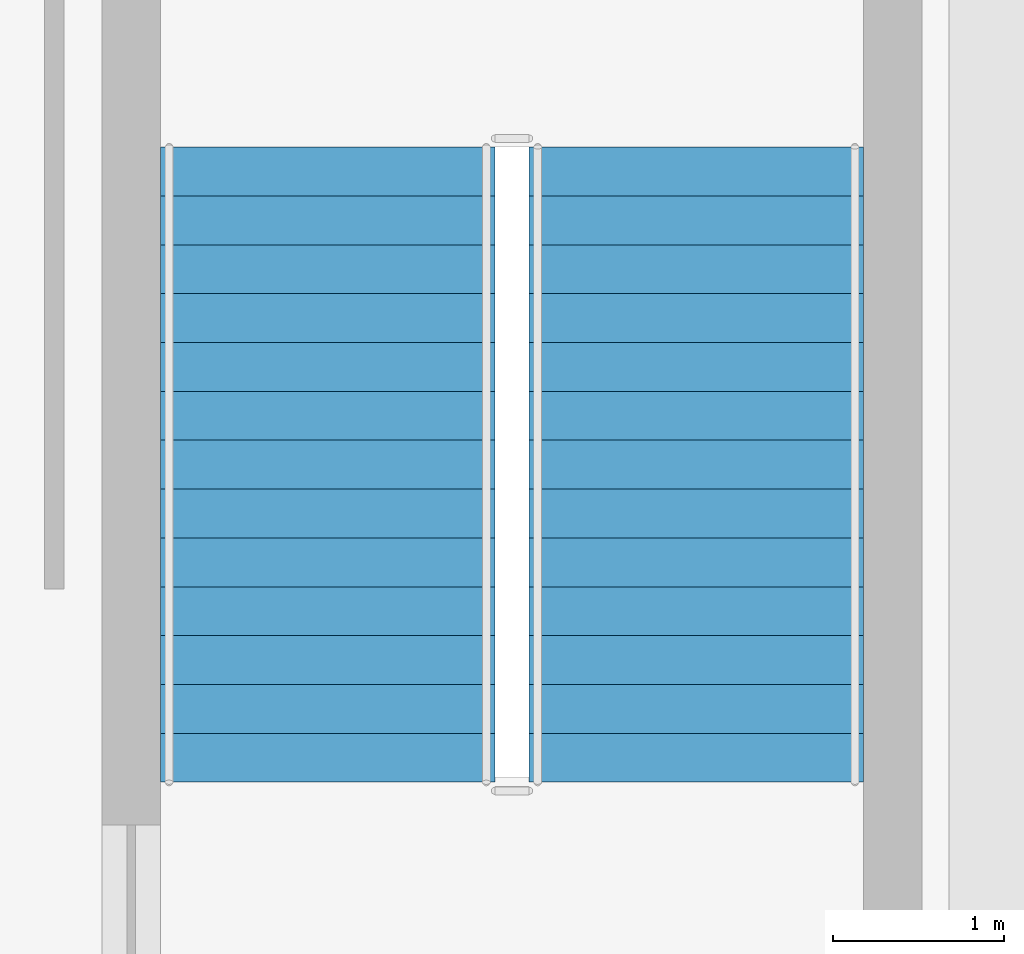
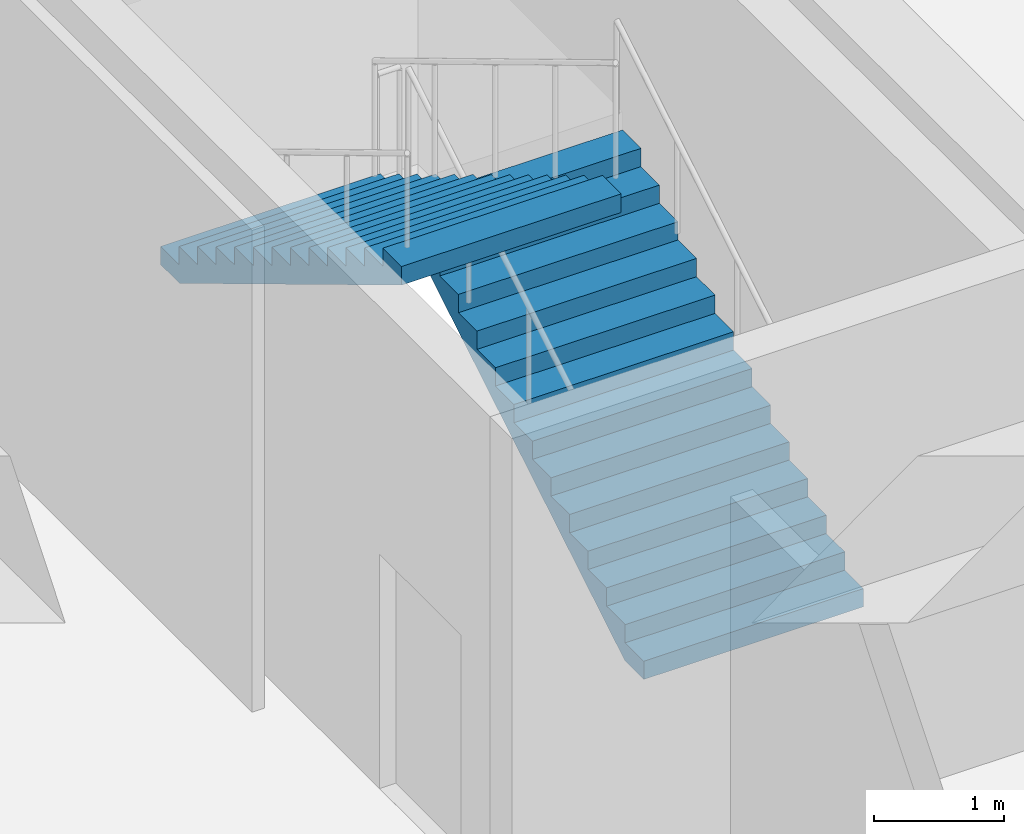
# One storey, part 53 of 67: 2 stair flights, 1 element without a shape of its own.
"""IFC4 building model written with IfcOpenShell, lengths in metres."""

from ifc_helpers import new_model, si_unit, direction, frame, origin, place, context, subcontext, project, spatial, polyline, outline, extrude, material, layer, layer_set, type_object, element, aggregate, save


model = new_model("IFC4")

# Units and contexts
model_context = context("Model", 3, precision=1e-05, world=origin(), true_north=direction((0.0, 1.0)))
body_context = subcontext(model_context, "Body", "Model", "MODEL_VIEW")
ifc_project = project(units=[si_unit("LENGTHUNIT", "METRE"), si_unit("AREAUNIT", "SQUARE_METRE"), si_unit("VOLUMEUNIT", "CUBIC_METRE"), si_unit("PLANEANGLEUNIT", "RADIAN"), si_unit("MASSUNIT", "GRAM", prefix="KILO")], contexts=[model_context])

# Site, building, storey
site_placement = place(None, origin())
site = spatial("IfcSite", under=ifc_project, at=site_placement, CompositionType="ELEMENT")
building_placement = place(site_placement, origin())
building = spatial("IfcBuilding", under=site, at=building_placement, Name="Cendralis Terraced Arcade", CompositionType="ELEMENT")
storey_placement = place(building_placement, frame((0.0, 0.0, 15.0)))
storey = spatial("IfcBuildingStorey", under=building, at=storey_placement, Name="L03", CompositionType="ELEMENT", Elevation=15.0)

# Stair, stair flights
ifc_material = material(Name="Concrete f'c 35 MPa", Category="concrete")
stair_type = type_object("IfcStairType", Name="STR-W195-H480", PredefinedType="HALF_TURN_STAIR", material=ifc_material)
stair_placement = place(storey_placement, origin())
stair = element("IfcStair", 1, at=stair_placement, inside=storey, type_object=stair_type, Name="L03 Protected Exit Stair ST-06", PredefinedType="HALF_TURN_STAIR")
ifc_layer = layer(ifc_material, 0.159912109375, Name="FLT-W195-H480")
ifc_layer_set = layer_set([ifc_layer], Name="Concrete f'c 35 MPa")
stair_flight_type = type_object("IfcStairFlightType", Name="FLT-W195-H480", PredefinedType="STRAIGHT", material=ifc_layer_set)
stair_flight_1_placement = place(storey_placement, frame((155.425048828125, 73.949951171875, 0.0), z_axis=(0.0, 0.0, 1.0), x_axis=(0.0, 1.0, 0.0)))
stair_flight_1 = element("IfcStairFlight", 2, at=stair_flight_1_placement, type_object=stair_flight_type, Name="ST-06 flight 1", NumberOfRisers=14, NumberOfTreads=13, PredefinedType="STRAIGHT", RiserHeight=0.171428571, TreadLength=0.285, context=body_context, shape_type="SweptSolid", body=[
    extrude(outline(polyline([(0.0, 0.0), (0.0, 0.17138671875), (0.284912109375, 0.17138671875), (0.284912109375, 0.3427734375), (0.570068359375, 0.3427734375), (0.570068359375, 0.514404296875), (0.85498046875, 0.514404296875), (0.85498046875, 0.685791015625), (1.139892578125, 0.685791015625), (1.139892578125, 0.857177734375), (1.425048828125, 0.857177734375), (1.425048828125, 1.028564453125), (1.7099609375, 1.028564453125), (1.7099609375, 1.199951171875), (1.9951171875, 1.199951171875), (1.9951171875, 1.371337890625), (2.280029296875, 1.371337890625), (2.280029296875, 1.54296875), (2.56494140625, 1.54296875), (2.56494140625, 1.71435546875), (2.85009765625, 1.71435546875), (2.85009765625, 1.8857421875), (3.135009765625, 1.8857421875), (3.135009765625, 2.05712890625), (3.419921875, 2.05712890625), (3.419921875, 2.228515625), (3.705078125, 2.228515625), (3.705078125, 2.39990234375), (3.705078125, 2.0537109375), (0.290771484375, 0.0), (0.0, 0.0)])), frame((0.0, 0.97509765625, 0.0), z_axis=(0.0, -1.0, 0.0), x_axis=(1.0, 0.0, 0.0)), (0.0, 0.0, 1.0), 1.949951171875),
])
stair_flight_2_placement = place(storey_placement, frame((153.27490234375, 77.655029296875, 2.39990234375), z_axis=(0.0, 0.0, 1.0), x_axis=(0.0, -1.0, 0.0)))
stair_flight_2 = element("IfcStairFlight", 3, at=stair_flight_2_placement, type_object=stair_flight_type, Name="ST-06 flight 2", NumberOfRisers=14, NumberOfTreads=13, PredefinedType="STRAIGHT", RiserHeight=0.171428571, TreadLength=0.285, context=body_context, shape_type="SweptSolid", body=[
    extrude(outline(polyline([(0.0, 0.0), (0.0, 0.17138671875), (0.284912109375, 0.17138671875), (0.284912109375, 0.3427734375), (0.570068359375, 0.3427734375), (0.570068359375, 0.514404296875), (0.85498046875, 0.514404296875), (0.85498046875, 0.685791015625), (1.139892578125, 0.685791015625), (1.139892578125, 0.857177734375), (1.425048828125, 0.857177734375), (1.425048828125, 1.028564453125), (1.7099609375, 1.028564453125), (1.7099609375, 1.199951171875), (1.9951171875, 1.199951171875), (1.9951171875, 1.371337890625), (2.280029296875, 1.371337890625), (2.280029296875, 1.54296875), (2.56494140625, 1.54296875), (2.56494140625, 1.71435546875), (2.85009765625, 1.71435546875), (2.85009765625, 1.8857421875), (3.135009765625, 1.8857421875), (3.135009765625, 2.05712890625), (3.419921875, 2.05712890625), (3.419921875, 2.228515625), (3.705078125, 2.228515625), (3.705078125, 2.39990234375), (3.705078125, 2.0537109375), (0.290771484375, 0.0), (0.0, 0.0)])), frame((0.0, 0.97509765625, 0.0), z_axis=(0.0, -1.0, 0.0), x_axis=(1.0, 0.0, 0.0)), (0.0, 0.0, 1.0), 1.949951171875),
])
aggregate(stair, [stair_flight_1, stair_flight_2])

save(model, "model.ifc")
